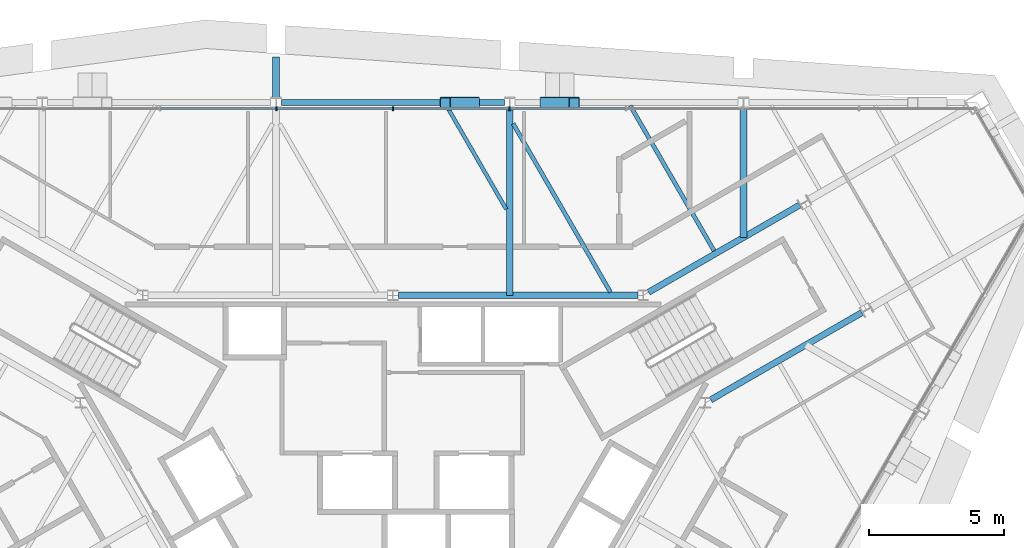
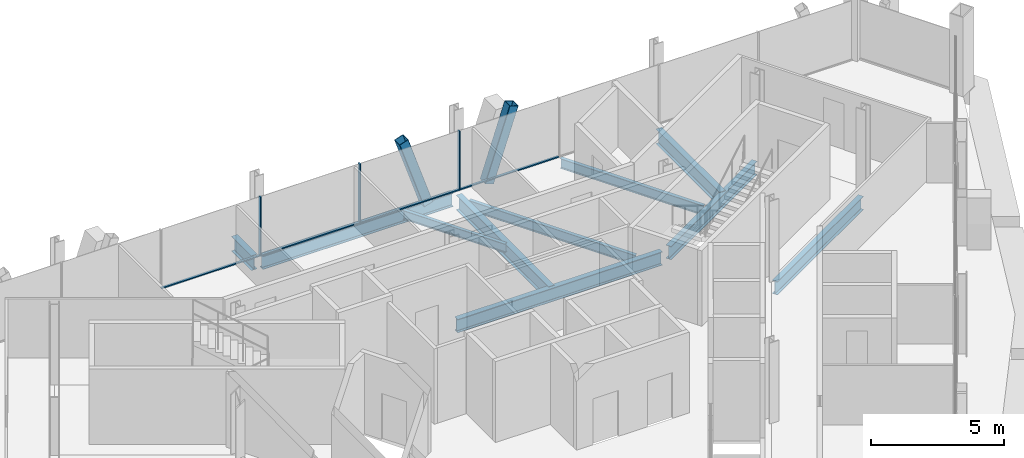
# One storey, part 6 of 13: 10 beams, 9 members, 1 element without a shape of its own.
"""IFC4 building model written with IfcOpenShell, lengths in metres."""

from ifc_helpers import new_model, si_unit, direction, frame, origin, origin_2d, place, context, subcontext, project, spatial, rectangle, hollow_rectangle, i_section, extrude, material, material_profile, profile_set, type_object, element, aggregate, save


model = new_model("IFC4")

# Units and contexts
model_context = context("Model", 3, precision=1e-05, world=origin(), true_north=direction((0.0, 1.0)))
body_context = subcontext(model_context, "Body", "Model", "MODEL_VIEW")
ifc_project = project(units=[si_unit("LENGTHUNIT", "METRE"), si_unit("AREAUNIT", "SQUARE_METRE"), si_unit("VOLUMEUNIT", "CUBIC_METRE"), si_unit("PLANEANGLEUNIT", "RADIAN"), si_unit("MASSUNIT", "GRAM", prefix="KILO")], contexts=[model_context])

# Site, building, storey
site_placement = place(None, origin())
site = spatial("IfcSite", under=ifc_project, at=site_placement, CompositionType="ELEMENT")
building_placement = place(site_placement, origin())
building = spatial("IfcBuilding", under=site, at=building_placement, Name="Verrane Prism Tower", CompositionType="ELEMENT")
storey_placement = place(building_placement, frame((0.0, 0.0, 210.10009765625)))
storey = spatial("IfcBuildingStorey", under=building, at=storey_placement, Name="L52", CompositionType="ELEMENT", Elevation=210.10009765625)

# Beams
ifc_material_1 = material(Name="Steel A992", Category="steel")
ifc_material_profile_1 = material_profile(ifc_material_1, i_section(OverallWidth=0.23046875, OverallDepth=0.6171875, WebThickness=0.01318359375, FlangeThickness=0.022216796875, FilletRadius=0.012939453125, at=origin_2d()), Name="W24x94")
ifc_profile_set_1 = profile_set([ifc_material_profile_1], Name="Steel A992")
beam_type_1 = type_object("IfcBeamType", Name="Core ring girder W24x94", PredefinedType="BEAM", material=ifc_profile_set_1)
for number, where, z_axis, x_axis, name in (
    (1, (11.759521484375, 4.135009765625, -0.55859375), (0.866080992722, 0.499903704773, 0.0), (-0.499903704773, 0.866080992722, 0.0), "Core ring girder L52"),
    (2, (15.04736328125, 11.34033203125, -0.55859375), (-0.866080992722, -0.499903704773, 0.0), (0.499903704773, -0.866080992722, 0.0), "Core ring girder L52"),
):
    element("IfcBeam", number, at=place(storey_placement, frame(where, z_axis=z_axis, x_axis=x_axis)), inside=storey, type_object=beam_type_1, Name=name, PredefinedType="BEAM", context=body_context, shape_type="SweptSolid", body=[
        extrude(i_section(OverallWidth=0.23046875, OverallDepth=0.6171875, WebThickness=0.01318359375, FlangeThickness=0.022216796875, FilletRadius=0.012939453125, at=origin_2d()), origin(), (0.0, 0.0, 1.0), 6.451904296875),
    ])
beam_1_placement = place(storey_placement, frame((9.060546875, 8.0, -0.55859375), z_axis=(-1.0, 0.0, 0.0), x_axis=(0.0, -1.0, 0.0)))
element("IfcBeam", 3, at=beam_1_placement, inside=storey, type_object=beam_type_1, Name="Core ring girder L52", PredefinedType="BEAM", context=body_context, shape_type="SweptSolid", body=[
    extrude(i_section(OverallWidth=0.23046875, OverallDepth=0.6171875, WebThickness=0.01318359375, FlangeThickness=0.022216796875, FilletRadius=0.012939453125, at=origin_2d()), origin(), (0.0, 0.0, 1.0), 8.861083984375),
])

# Members
ifc_material_2 = material(Name="Steel A500 Grade C", Category="steel")
ifc_material_profile_2 = material_profile(ifc_material_2, hollow_rectangle(XDim=0.406494140625, YDim=0.406494140625, WallThickness=0.01904296875, InnerFilletRadius=0.009521484375, OuterFilletRadius=0.028564453125, at=origin_2d()), Name="HSS16x16x3/4")
ifc_profile_set_2 = profile_set([ifc_material_profile_2], Name="Steel A500 Grade C")
member_type_1 = type_object("IfcMemberType", Name="Facade brace HSS16x16x3/4", PredefinedType="BRACE", material=ifc_profile_set_2)
member_1_placement = place(storey_placement, frame((5.639892578125, 15.1298828125, -0.216796875), z_axis=(0.316749354845, 0.0, 0.948509275761), x_axis=(0.0, 1.0, 0.0)))
element("IfcMember", 4, at=member_1_placement, inside=storey, type_object=member_type_1, Name="Facade brace N1 L52", PredefinedType="BRACE", context=body_context, shape_type="SweptSolid", body=[
    extrude(hollow_rectangle(XDim=0.406494140625, YDim=0.406494140625, WallThickness=0.01904296875, InnerFilletRadius=0.009521484375, OuterFilletRadius=0.028564453125, at=origin_2d()), origin(), (0.0, 0.0, 1.0), 3.369873046875),
])
member_2_placement = place(storey_placement, frame((3.001708984375, 15.1298828125, -0.216796875), z_axis=(-0.316423395466, 0.0, 0.948618065821), x_axis=(0.0, -1.0, 0.0)))
element("IfcMember", 5, at=member_2_placement, inside=storey, type_object=member_type_1, Name="Facade brace N2 L52", PredefinedType="BRACE", context=body_context, shape_type="SweptSolid", body=[
    extrude(hollow_rectangle(XDim=0.406494140625, YDim=0.406494140625, WallThickness=0.01904296875, InnerFilletRadius=0.009521484375, OuterFilletRadius=0.028564453125, at=origin_2d()), origin(), (0.0, 0.0, 1.0), 3.369384765625),
])

# Beams
ifc_material_3 = material(Name="Steel A992", Category="steel")
ifc_material_profile_3 = material_profile(ifc_material_3, i_section(OverallWidth=0.140380859375, OverallDepth=0.40380859375, WebThickness=0.007080078125, FlangeThickness=0.01123046875, FilletRadius=0.01025390625, at=origin_2d()), Name="W16x31")
ifc_profile_set_3 = profile_set([ifc_material_profile_3], Name="Steel A992")
beam_type_2 = type_object("IfcBeamType", Name="Floor beam W16x31", PredefinedType="BEAM", material=ifc_profile_set_3)
beam_2_placement = place(storey_placement, frame((4.193115234375, 11.18505859375, -0.362060546875), z_axis=(-0.500045805297, 0.865998956469, 0.0), x_axis=(-0.865998956469, -0.500045805297, 0.0)))
element("IfcBeam", 6, at=beam_2_placement, inside=storey, type_object=beam_type_2, Name="Floor beam L52", PredefinedType="BEAM", context=body_context, shape_type="SweptSolid", body=[
    extrude(i_section(OverallWidth=0.140380859375, OverallDepth=0.40380859375, WebThickness=0.007080078125, FlangeThickness=0.01123046875, FilletRadius=0.01025390625, at=origin_2d()), origin(), (0.0, 0.0, 1.0), 4.42236328125),
])
ifc_material_4 = material(Name="Steel A992", Category="steel")
ifc_material_profile_4 = material_profile(ifc_material_4, i_section(OverallWidth=0.15234375, OverallDepth=0.449462890625, WebThickness=0.007568359375, FlangeThickness=0.0107421875, FilletRadius=0.01025390625, at=origin_2d()), Name="W18x35")
ifc_profile_set_4 = profile_set([ifc_material_profile_4], Name="Steel A992")
beam_type_3 = type_object("IfcBeamType", Name="Floor beam W18x35", PredefinedType="BEAM", material=ifc_profile_set_4)
beam_3_placement = place(storey_placement, frame((11.88134765625, 9.644775390625, -0.385009765625), z_axis=(-0.499988291006, 0.866032163869, 0.0), x_axis=(-0.866032163869, -0.499988291006, 0.0)))
element("IfcBeam", 7, at=beam_3_placement, inside=storey, type_object=beam_type_3, Name="Floor beam L52", PredefinedType="BEAM", context=body_context, shape_type="SweptSolid", body=[
    extrude(i_section(OverallWidth=0.15234375, OverallDepth=0.449462890625, WebThickness=0.007568359375, FlangeThickness=0.0107421875, FilletRadius=0.01025390625, at=origin_2d()), origin(), (0.0, 0.0, 1.0), 6.200927734375),
])
beam_4_placement = place(storey_placement, frame((8.047119140625, 8.114990234375, -0.385009765625), z_axis=(-0.499982693035, 0.866035395735, 0.0), x_axis=(-0.866035395735, -0.499982693035, 0.0)))
element("IfcBeam", 8, at=beam_4_placement, inside=storey, type_object=beam_type_3, Name="Floor beam L52", PredefinedType="BEAM", context=body_context, shape_type="SweptSolid", body=[
    extrude(i_section(OverallWidth=0.15234375, OverallDepth=0.449462890625, WebThickness=0.007568359375, FlangeThickness=0.0107421875, FilletRadius=0.01025390625, at=origin_2d()), origin(), (0.0, 0.0, 1.0), 7.200439453125),
])

# Curtain wall, members
ifc_material_5 = material(Name="Aluminium framed insulated glazing", Category="aluminium")
curtain_wall_type = type_object("IfcCurtainWallType", Name="Curtain wall CW-C 4200 module", PredefinedType="NOTDEFINED", material=ifc_material_5)
curtain_wall_placement = place(storey_placement, origin())
curtain_wall = element("IfcCurtainWall", 9, at=curtain_wall_placement, inside=storey, type_object=curtain_wall_type, Name="Glazed curtain wall north face L52", PredefinedType="NOTDEFINED")
ifc_material_6 = material(Name="Aluminium alloy 6063-T6", Category="aluminium")
ifc_material_profile_5 = material_profile(ifc_material_6, rectangle(XDim=0.139892578125, YDim=0.050048828125, at=origin_2d()), Name="Mullion 50x140 aluminium")
ifc_profile_set_5 = profile_set([ifc_material_profile_5], Name="Aluminium alloy 6063-T6")
member_type_2 = type_object("IfcMemberType", Name="Mullion 50x140 aluminium", PredefinedType="MULLION", material=ifc_profile_set_5)
member_3_placement = place(storey_placement, frame((4.31005859375, 14.90185546875, 0.0), z_axis=(0.0, 0.0, 1.0), x_axis=(0.0, -1.0, 0.0)))
member_3 = element("IfcMember", 10, at=member_3_placement, type_object=member_type_2, Name="CW51.2 mullion 5", PredefinedType="MULLION", context=body_context, shape_type="SweptSolid", body=[
    extrude(rectangle(XDim=0.139892578125, YDim=0.050048828125, at=origin_2d()), origin(), (0.0, 0.0, 1.0), 2.712890625),
])
member_4_placement = place(storey_placement, frame((0.0, 14.90185546875, 0.0), z_axis=(0.0, 0.0, 1.0), x_axis=(0.0, -1.0, 0.0)))
member_4 = element("IfcMember", 11, at=member_4_placement, type_object=member_type_2, Name="CW51.2 mullion 6", PredefinedType="MULLION", context=body_context, shape_type="SweptSolid", body=[
    extrude(rectangle(XDim=0.139892578125, YDim=0.050048828125, at=origin_2d()), origin(), (0.0, 0.0, 1.0), 2.712890625),
])
member_5_placement = place(storey_placement, frame((-4.31005859375, 14.90185546875, 0.0), z_axis=(0.0, 0.0, 1.0), x_axis=(0.0, -1.0, 0.0)))
member_5 = element("IfcMember", 12, at=member_5_placement, type_object=member_type_2, Name="CW51.2 mullion 7", PredefinedType="MULLION", context=body_context, shape_type="SweptSolid", body=[
    extrude(rectangle(XDim=0.139892578125, YDim=0.050048828125, at=origin_2d()), origin(), (0.0, 0.0, 1.0), 2.712890625),
])

# Beams
ifc_material_7 = material(Name="Steel A992", Category="steel")
ifc_material_profile_6 = material_profile(ifc_material_7, i_section(OverallWidth=0.25390625, OverallDepth=0.683349609375, WebThickness=0.012451171875, FlangeThickness=0.01904296875, FilletRadius=0.01513671875, at=origin_2d()), Name="W27x94")
ifc_profile_set_6 = profile_set([ifc_material_profile_6], Name="Steel A992")
beam_type_4 = type_object("IfcBeamType", Name="Radial girder W27x94", PredefinedType="BEAM", material=ifc_profile_set_6)
beam_5_placement = place(storey_placement, frame((12.969970703125, 14.9306640625, -0.561767578125), z_axis=(0.0, -1.0, 0.0), x_axis=(1.0, 0.0, 0.0)))
element("IfcBeam", 13, at=beam_5_placement, inside=storey, type_object=beam_type_4, Name="Radial girder L52", PredefinedType="BEAM", context=body_context, shape_type="SweptSolid", body=[
    extrude(i_section(OverallWidth=0.25390625, OverallDepth=0.683349609375, WebThickness=0.012451171875, FlangeThickness=0.01904296875, FilletRadius=0.01513671875, at=origin_2d()), origin(), (0.0, 0.0, 1.0), 4.789306640625),
])
beam_6_placement = place(storey_placement, frame((4.320068359375, 14.9306640625, -0.561767578125), z_axis=(0.0, -1.0, 0.0), x_axis=(1.0, 0.0, 0.0)))
element("IfcBeam", 14, at=beam_6_placement, inside=storey, type_object=beam_type_4, Name="Radial girder L52", PredefinedType="BEAM", context=body_context, shape_type="SweptSolid", body=[
    extrude(i_section(OverallWidth=0.25390625, OverallDepth=0.683349609375, WebThickness=0.012451171875, FlangeThickness=0.01904296875, FilletRadius=0.01513671875, at=origin_2d()), origin(), (0.0, 0.0, 1.0), 6.9306640625),
])
beam_7_placement = place(storey_placement, frame((-4.320068359375, 15.325439453125, -0.561767578125), z_axis=(0.0, 1.0, 0.0), x_axis=(-1.0, 0.0, 0.0)))
element("IfcBeam", 15, at=beam_7_placement, inside=storey, type_object=beam_type_4, Name="Cantilever girder L52", PredefinedType="BEAM", context=body_context, shape_type="SweptSolid", body=[
    extrude(i_section(OverallWidth=0.25390625, OverallDepth=0.683349609375, WebThickness=0.012451171875, FlangeThickness=0.01904296875, FilletRadius=0.01513671875, at=origin_2d()), origin(), (0.0, 0.0, 1.0), 1.4873046875),
])
ifc_material_8 = material(Name="Steel A992", Category="steel")
ifc_material_profile_7 = material_profile(ifc_material_8, i_section(OverallWidth=0.23046875, OverallDepth=0.6171875, WebThickness=0.01318359375, FlangeThickness=0.022216796875, FilletRadius=0.012939453125, at=origin_2d()), Name="W24x94")
ifc_profile_set_7 = profile_set([ifc_material_profile_7], Name="Steel A992")
beam_type_5 = type_object("IfcBeamType", Name="Spandrel beam W24x94", PredefinedType="SPANDREL", material=ifc_profile_set_7)
beam_8_placement = place(storey_placement, frame((4.119384765625, 15.1298828125, -0.46875), z_axis=(-1.0, 0.0, 0.0), x_axis=(0.0, -1.0, 0.0)))
element("IfcBeam", 16, at=beam_8_placement, inside=storey, type_object=beam_type_5, Name="Spandrel beam L52", PredefinedType="SPANDREL", context=body_context, shape_type="SweptSolid", body=[
    extrude(i_section(OverallWidth=0.23046875, OverallDepth=0.6171875, WebThickness=0.01318359375, FlangeThickness=0.022216796875, FilletRadius=0.012939453125, at=origin_2d()), origin(), (0.0, 0.0, 1.0), 8.23876953125),
])

# Member
ifc_material_9 = material(Name="Aluminium alloy 6063-T6", Category="aluminium")
ifc_material_profile_8 = material_profile(ifc_material_9, rectangle(XDim=0.10009765625, YDim=0.050048828125, at=origin_2d()), Name="Transom 50x100 aluminium")
ifc_profile_set_8 = profile_set([ifc_material_profile_8], Name="Aluminium alloy 6063-T6")
member_type_3 = type_object("IfcMemberType", Name="Transom 50x100 aluminium", PredefinedType="USERDEFINED", material=ifc_profile_set_8)
member_6_placement = place(storey_placement, frame((8.59521484375, 14.90185546875, 0.02490234375), z_axis=(-1.0, 0.0, 0.0), x_axis=(0.0, -1.0, 0.0)))
member_6 = element("IfcMember", 17, at=member_6_placement, type_object=member_type_3, Name="CW51.2 transom 4", ObjectType="TRANSOM", PredefinedType="USERDEFINED", context=body_context, shape_type="SweptSolid", body=[
    extrude(rectangle(XDim=0.10009765625, YDim=0.050048828125, at=origin_2d()), origin(), (0.0, 0.0, 1.0), 4.260009765625),
])

member_7_placement = place(storey_placement, frame((4.28515625, 14.90185546875, 0.02490234375), z_axis=(-1.0, 0.0, 0.0), x_axis=(0.0, -1.0, 0.0)))
member_7 = element("IfcMember", 18, at=member_7_placement, type_object=member_type_3, Name="CW51.2 transom 5", ObjectType="TRANSOM", PredefinedType="USERDEFINED", context=body_context, shape_type="SweptSolid", body=[
    extrude(rectangle(XDim=0.10009765625, YDim=0.050048828125, at=origin_2d()), origin(), (0.0, 0.0, 1.0), 4.26025390625),
])

member_8_placement = place(storey_placement, frame((-0.02490234375, 14.90185546875, 0.02490234375), z_axis=(-1.0, 0.0, 0.0), x_axis=(0.0, -1.0, 0.0)))
member_8 = element("IfcMember", 19, at=member_8_placement, type_object=member_type_3, Name="CW51.2 transom 6", ObjectType="TRANSOM", PredefinedType="USERDEFINED", context=body_context, shape_type="SweptSolid", body=[
    extrude(rectangle(XDim=0.10009765625, YDim=0.050048828125, at=origin_2d()), origin(), (0.0, 0.0, 1.0), 4.26025390625),
])

member_9_placement = place(storey_placement, frame((-4.335205078125, 14.90185546875, 0.02490234375), z_axis=(-1.0, 0.0, 0.0), x_axis=(0.0, -1.0, 0.0)))
member_9 = element("IfcMember", 20, at=member_9_placement, type_object=member_type_3, Name="CW51.2 transom 7", ObjectType="TRANSOM", PredefinedType="USERDEFINED", context=body_context, shape_type="SweptSolid", body=[
    extrude(rectangle(XDim=0.10009765625, YDim=0.050048828125, at=origin_2d()), origin(), (0.0, 0.0, 1.0), 4.260009765625),
])

aggregate(curtain_wall, [member_3, member_4, member_5, member_6, member_7, member_8, member_9])

save(model, "model.ifc")
